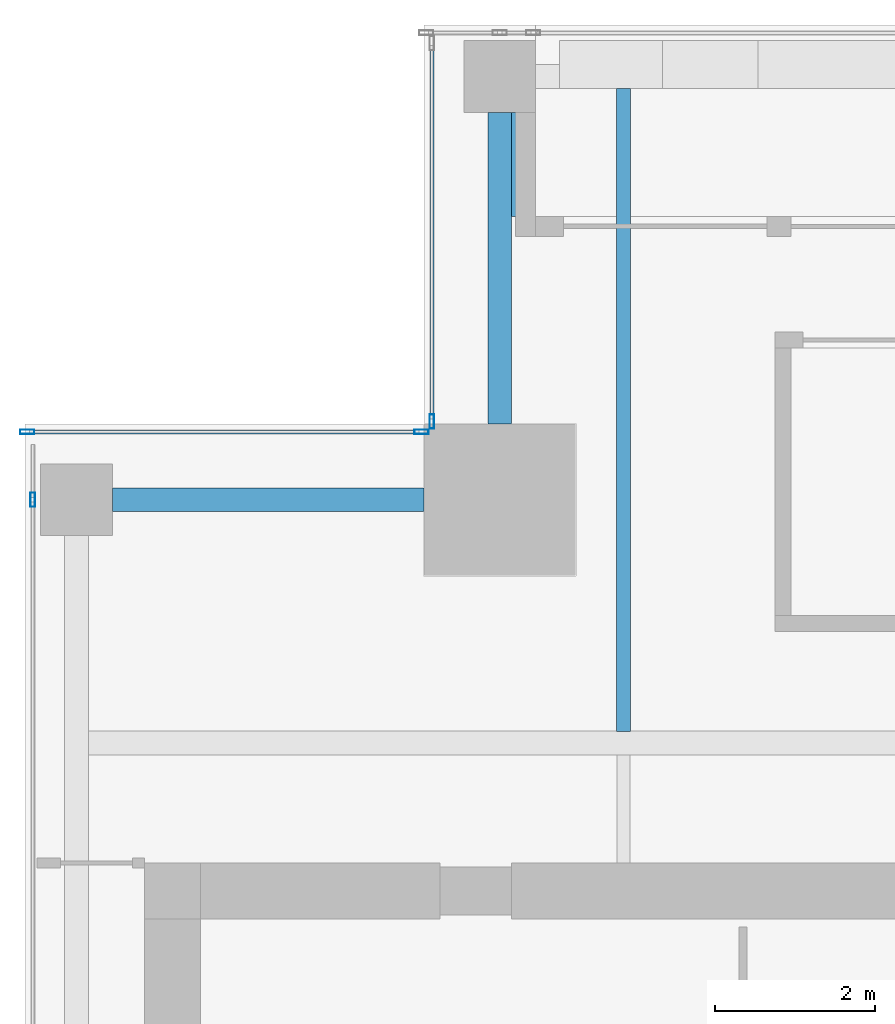
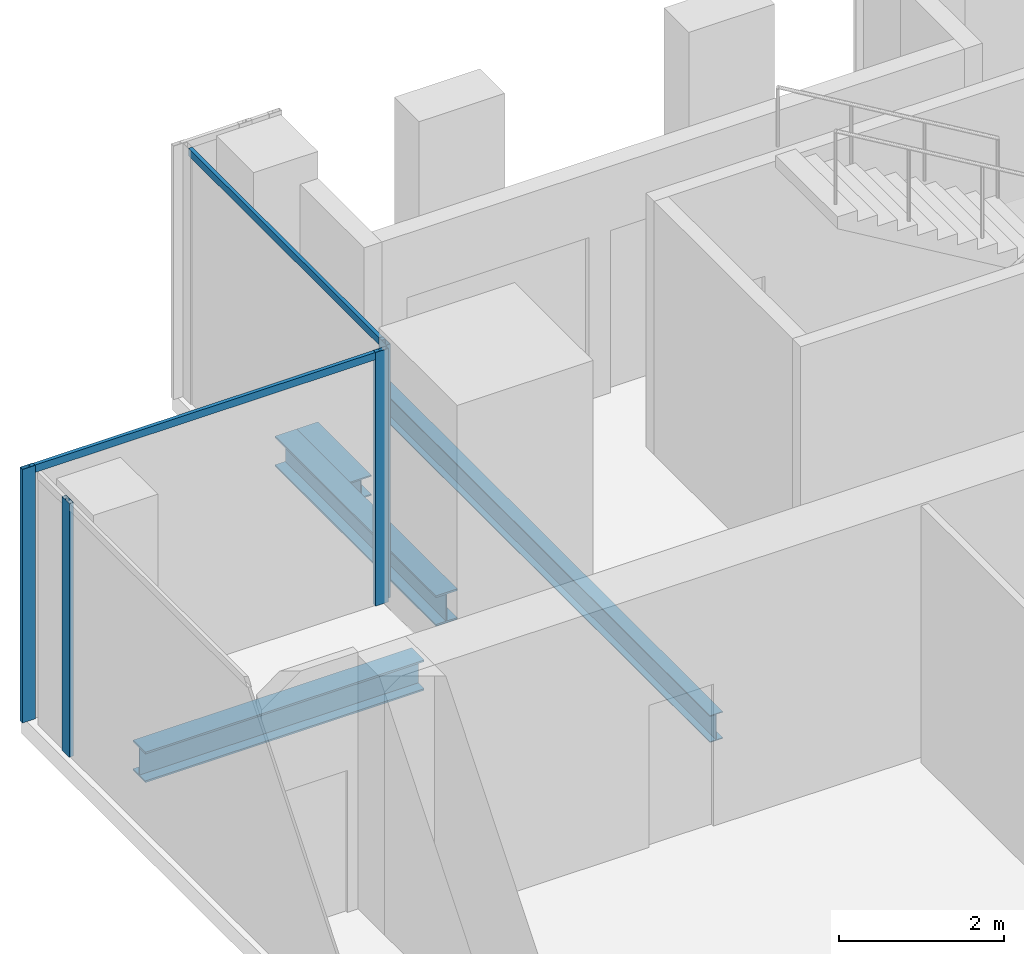
# One storey, part 16 of 35: 6 members, 4 beams, 3 elements without a shape of their own.
"""IFC4 building model written with IfcOpenShell, lengths in metres."""

from ifc_helpers import new_model, si_unit, direction, frame, origin, origin_2d, place, context, subcontext, project, spatial, hollow_rectangle, i_section, extrude, source, transform, mapped, material, material_profile, profile_set, type_object, element, aggregate, save


model = new_model("IFC4")

# Units and contexts
model_context = context("Model", 3, precision=1e-05, world=origin(), true_north=direction((0.0, 1.0)))
body_context = subcontext(model_context, "Body", "Model", "MODEL_VIEW")
ifc_project = project(units=[si_unit("LENGTHUNIT", "METRE"), si_unit("AREAUNIT", "SQUARE_METRE"), si_unit("VOLUMEUNIT", "CUBIC_METRE"), si_unit("PLANEANGLEUNIT", "RADIAN"), si_unit("MASSUNIT", "GRAM", prefix="KILO")], contexts=[model_context])

# Site, building, storey
site_placement = place(None, origin())
site = spatial("IfcSite", under=ifc_project, at=site_placement, CompositionType="ELEMENT")
building_placement = place(site_placement, origin())
building = spatial("IfcBuilding", under=site, at=building_placement, Name="Khomas Fold Tower", CompositionType="ELEMENT")
storey_placement = place(building_placement, frame((0.0, 0.0, 250.199951171875)))
storey = spatial("IfcBuildingStorey", under=building, at=storey_placement, Name="L56", CompositionType="ELEMENT", Elevation=250.199951171875)

# Beams
ifc_material_1 = material(Name="Steel S355", Category="steel")
ifc_material_profile_1 = material_profile(ifc_material_1, i_section(OverallWidth=0.300048828125, OverallDepth=0.449951171875, WebThickness=0.013916015625, FlangeThickness=0.02587890625, at=origin_2d()), Name="HE 450 B")
ifc_profile_set_1 = profile_set([ifc_material_profile_1], Name="Steel S355")
beam_type_1 = type_object("IfcBeamType", Name="HE 450 B spandrel SB4", PredefinedType="SPANDREL", material=ifc_profile_set_1)
shared_shape_1 = source(origin(), body_context, "Body", "SweptSolid", [
    extrude(i_section(OverallWidth=0.300048828125, OverallDepth=0.449951171875, WebThickness=0.013916015625, FlangeThickness=0.02587890625, at=origin_2d()), origin(), (0.0, 0.0, 1.0), 3.89990234375),
])
for number, where, z_axis, x_axis, name in (
    (1, (10.449951171875, 44.5, -0.474853515625), (0.0, 1.0, 0.0), (-1.0, 0.0, 0.0), "SB4"),
    (2, (5.60009765625, 43.550048828125, -0.474853515625), (1.0, 0.0, 0.0), (0.0, 1.0, 0.0), "SB4"),
):
    element("IfcBeam", number, at=place(storey_placement, frame(where, z_axis=z_axis, x_axis=x_axis)), inside=storey, type_object=beam_type_1, Name=name, PredefinedType="SPANDREL", context=body_context, shape_type="MappedRepresentation", body=[
        mapped(shared_shape_1, transform((0.0, 0.0, 0.0))),
    ])
ifc_material_2 = material(Name="Steel S355", Category="steel")
ifc_material_profile_2 = material_profile(ifc_material_2, i_section(OverallWidth=0.179931640625, OverallDepth=0.39990234375, WebThickness=0.008544921875, FlangeThickness=0.013427734375, at=origin_2d()), Name="IPE 400")
ifc_profile_set_2 = profile_set([ifc_material_profile_2], Name="Steel S355")
beam_type_2 = type_object("IfcBeamType", Name="IPE 400 beam JB3", PredefinedType="BEAM", material=ifc_profile_set_2)
shared_shape_2 = source(origin(), body_context, "Body", "SweptSolid", [
    extrude(i_section(OverallWidth=0.179931640625, OverallDepth=0.39990234375, WebThickness=0.008544921875, FlangeThickness=0.013427734375, at=origin_2d()), origin(), (0.0, 0.0, 1.0), 8.050048828125),
])
beam_1_placement = place(storey_placement, frame((12.0, 40.64990234375, -0.449951171875), z_axis=(0.0, 1.0, 0.0), x_axis=(-1.0, 0.0, 0.0)))
element("IfcBeam", 3, at=beam_1_placement, inside=storey, type_object=beam_type_2, Name="JB3", PredefinedType="BEAM", context=body_context, shape_type="MappedRepresentation", body=[
    mapped(shared_shape_2, transform((0.0, 0.0, 0.0))),
])
ifc_material_3 = material(Name="Steel S355", Category="steel")
ifc_material_profile_3 = material_profile(ifc_material_3, i_section(OverallWidth=0.300048828125, OverallDepth=0.300048828125, WebThickness=0.010986328125, FlangeThickness=0.01904296875, at=origin_2d()), Name="HE 300 B")
ifc_profile_set_3 = profile_set([ifc_material_profile_3], Name="Steel S355")
beam_type_3 = type_object("IfcBeamType", Name="HE 300 B beam BB1", PredefinedType="BEAM", material=ifc_profile_set_3)
shared_shape_3 = source(origin(), body_context, "Body", "SweptSolid", [
    extrude(i_section(OverallWidth=0.300048828125, OverallDepth=0.300048828125, WebThickness=0.010986328125, FlangeThickness=0.01904296875, at=origin_2d()), origin(), (0.0, 0.0, 1.0), 1.2998046875),
])
beam_2_placement = place(storey_placement, frame((10.75, 47.10009765625, -0.39990234375), z_axis=(0.0, 1.0, 0.0), x_axis=(-1.0, 0.0, 0.0)))
element("IfcBeam", 4, at=beam_2_placement, inside=storey, type_object=beam_type_3, Name="BB1", PredefinedType="BEAM", context=body_context, shape_type="MappedRepresentation", body=[
    mapped(shared_shape_3, transform((0.0, 0.0, 0.0))),
])

# Curtain wall, member
ifc_material_4 = material(Name="Aluminium framed double glazing", Category="aluminium")
curtain_wall_type = type_object("IfcCurtainWallType", Name="SK-Unitised clear-glass wall, office floors CW2", PredefinedType="NOTDEFINED", material=ifc_material_4)
curtain_wall_1_placement = place(storey_placement, origin())
curtain_wall_1 = element("IfcCurtainWall", 5, at=curtain_wall_1_placement, inside=storey, type_object=curtain_wall_type, Name="CW2 corner return L56 07", PredefinedType="NOTDEFINED")
ifc_material_5 = material(Name="Aluminium", Category="aluminium")
ifc_material_profile_4 = material_profile(ifc_material_5, hollow_rectangle(XDim=0.06005859375, YDim=0.179931640625, WallThickness=0.00390625, at=origin_2d()), Name="SK-Unitised clear-glass wall, office floors mullion CW2-M")
ifc_profile_set_4 = profile_set([ifc_material_profile_4], Name="Aluminium")
member_type_1 = type_object("IfcMemberType", Name="SK-Unitised clear-glass wall, office floors mullion CW2-M", PredefinedType="MULLION", material=ifc_profile_set_4)
shared_shape_4 = source(origin(), body_context, "Body", "SweptSolid", [
    extrude(hollow_rectangle(XDim=0.06005859375, YDim=0.179931640625, WallThickness=0.00390625, at=origin_2d()), origin(), (0.0, 0.0, 1.0), 3.75),
])
member_1_placement = place(storey_placement, frame((9.60009765625, 44.530029296875, 0.0), z_axis=(0.0, 0.0, 1.0), x_axis=(1.0, 0.0, 0.0)))
member_1 = element("IfcMember", 6, at=member_1_placement, type_object=member_type_1, Name="CW2 mullion 2", PredefinedType="MULLION", context=body_context, shape_type="MappedRepresentation", body=[
    mapped(shared_shape_4, transform((0.0, 0.0, 0.0))),
])

# Curtain wall, members
curtain_wall_2_placement = place(storey_placement, origin())
curtain_wall_2 = element("IfcCurtainWall", 7, at=curtain_wall_2_placement, inside=storey, type_object=curtain_wall_type, Name="CW2 corner return L56 08", PredefinedType="NOTDEFINED")
member_2_placement = place(storey_placement, frame((9.469970703125, 44.39990234375, 0.0), z_axis=(0.0, 0.0, 1.0), x_axis=(0.0, -1.0, 0.0)))
member_2 = element("IfcMember", 8, at=member_2_placement, type_object=member_type_1, Name="CW2 mullion 1", PredefinedType="MULLION", context=body_context, shape_type="MappedRepresentation", body=[
    mapped(shared_shape_4, transform((0.0, 0.0, 0.0))),
])
member_3_placement = place(storey_placement, frame((4.530029296875, 44.39990234375, 0.0), z_axis=(0.0, 0.0, 1.0), x_axis=(0.0, -1.0, 0.0)))
member_3 = element("IfcMember", 9, at=member_3_placement, type_object=member_type_1, Name="CW2 mullion 2", PredefinedType="MULLION", context=body_context, shape_type="MappedRepresentation", body=[
    mapped(shared_shape_4, transform((0.0, 0.0, 0.0))),
])

# Curtain wall, member
curtain_wall_3_placement = place(storey_placement, origin())
curtain_wall_3 = element("IfcCurtainWall", 10, at=curtain_wall_3_placement, inside=storey, type_object=curtain_wall_type, Name="CW2 run L56 09-0", PredefinedType="NOTDEFINED")
member_4_placement = place(storey_placement, frame((4.60009765625, 43.550048828125, 0.0), z_axis=(0.0, 0.0, 1.0), x_axis=(1.0, 0.0, 0.0)))
member_4 = element("IfcMember", 11, at=member_4_placement, type_object=member_type_1, Name="CW2 mullion 2", PredefinedType="MULLION", context=body_context, shape_type="MappedRepresentation", body=[
    mapped(shared_shape_4, transform((0.0, 0.0, 0.0))),
])
aggregate(curtain_wall_3, [member_4])

# Member
ifc_material_6 = material(Name="Aluminium", Category="aluminium")
ifc_material_profile_5 = material_profile(ifc_material_6, hollow_rectangle(XDim=0.050048828125, YDim=0.110107421875, WallThickness=0.00390625, at=origin_2d()), Name="SK-Unitised clear-glass wall, office floors transom CW2-T")
ifc_profile_set_5 = profile_set([ifc_material_profile_5], Name="Aluminium")
member_type_2 = type_object("IfcMemberType", Name="SK-Unitised clear-glass wall, office floors transom CW2-T", PredefinedType="USERDEFINED", material=ifc_profile_set_5)
shared_shape_5 = source(origin(), body_context, "Body", "SweptSolid", [
    extrude(hollow_rectangle(XDim=0.050048828125, YDim=0.110107421875, WallThickness=0.00390625, at=origin_2d()), origin(), (0.0, 0.0, 1.0), 4.679931640625),
])
member_5_placement = place(storey_placement, frame((9.60009765625, 49.239990234375, 3.695068359375), z_axis=(0.0, -1.0, 0.0), x_axis=(1.0, 0.0, 0.0)))
member_5 = element("IfcMember", 12, at=member_5_placement, type_object=member_type_2, Name="CW2 transom 1", ObjectType="TRANSOM", PredefinedType="USERDEFINED", context=body_context, shape_type="MappedRepresentation", body=[
    mapped(shared_shape_5, transform((0.0, 0.0, 0.0))),
])

aggregate(curtain_wall_1, [member_1, member_5])

shared_shape_6 = source(origin(), body_context, "Body", "SweptSolid", [
    extrude(hollow_rectangle(XDim=0.050048828125, YDim=0.110107421875, WallThickness=0.00390625, at=origin_2d()), origin(), (0.0, 0.0, 1.0), 4.8798828125),
])
member_6_placement = place(storey_placement, frame((9.43994140625, 44.39990234375, 3.695068359375), z_axis=(-1.0, 0.0, 0.0), x_axis=(0.0, -1.0, 0.0)))
member_6 = element("IfcMember", 13, at=member_6_placement, type_object=member_type_2, Name="CW2 transom 1", ObjectType="TRANSOM", PredefinedType="USERDEFINED", context=body_context, shape_type="MappedRepresentation", body=[
    mapped(shared_shape_6, transform((0.0, 0.0, 0.0))),
])

aggregate(curtain_wall_2, [member_2, member_3, member_6])

save(model, "model.ifc")
